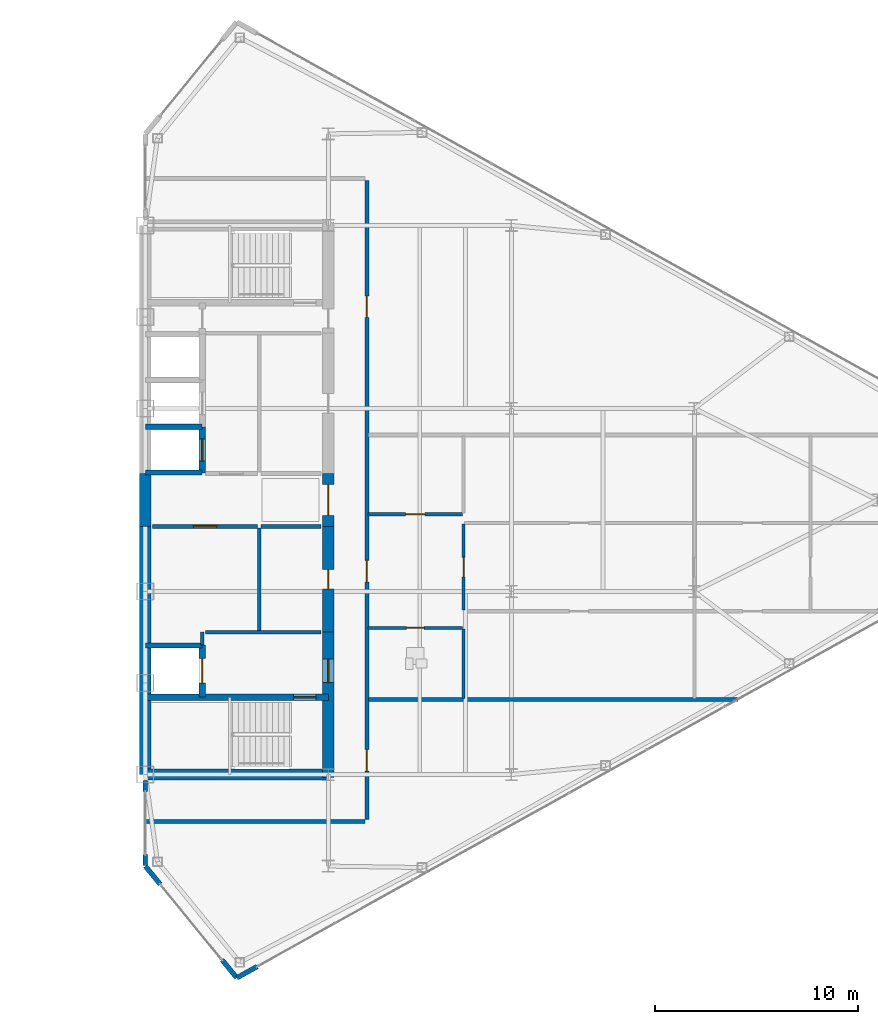
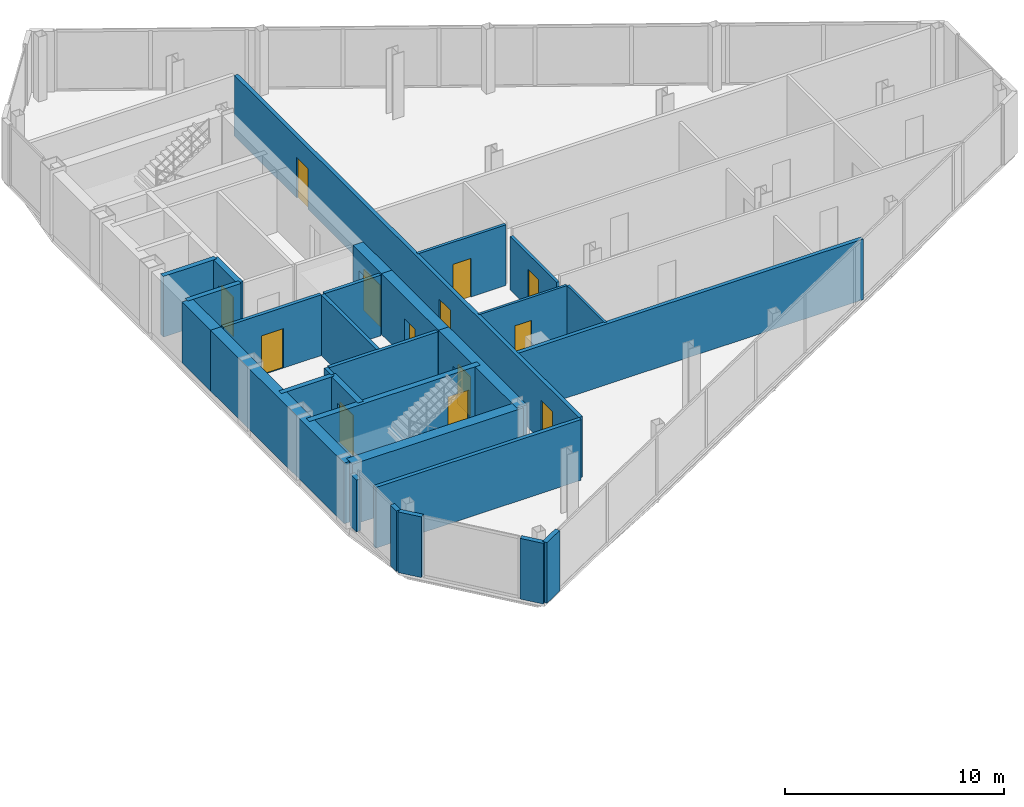
# One storey, part 21 of 25: 29 walls, 13 doors, 13 openings.
"""IFC4 building model written with IfcOpenShell, lengths in metres."""

from ifc_helpers import new_model, si_unit, direction, frame, frame_2d, origin, place, context, subcontext, project, spatial, rectangle, extrude, source, transform, mapped, material, layer, layer_set, type_object, type_shapes, element, fill, save


model = new_model("IFC4")

# Units and contexts
model_context = context("Model", 3, precision=1e-05, world=origin(), true_north=direction((0.0, 1.0)))
body_context = subcontext(model_context, "Body", "Model", "MODEL_VIEW")
ifc_project = project(units=[si_unit("LENGTHUNIT", "METRE"), si_unit("AREAUNIT", "SQUARE_METRE"), si_unit("VOLUMEUNIT", "CUBIC_METRE"), si_unit("PLANEANGLEUNIT", "RADIAN"), si_unit("MASSUNIT", "GRAM", prefix="KILO")], contexts=[model_context])

# Site, building, storey
site_placement = place(None, origin())
site = spatial("IfcSite", under=ifc_project, at=site_placement, CompositionType="ELEMENT")
building_placement = place(site_placement, origin())
building = spatial("IfcBuilding", under=site, at=building_placement, Name="Seokmaru Belvedere", CompositionType="ELEMENT")
storey_placement = place(building_placement, frame((0.0, 0.0, 188.699951171875)))
storey = spatial("IfcBuildingStorey", under=building, at=storey_placement, Name="L50", CompositionType="ELEMENT", Elevation=188.699951171875)

# Wall, opening, door
ifc_material_1 = material(Name="Fire-Rated Gypsum Shaftwall")
ifc_layer_1 = layer(ifc_material_1, 0.14990234375)
ifc_layer_set_1 = layer_set([ifc_layer_1], Name="Fire-Rated Gypsum Shaftwall")
wall_type_1 = type_object("IfcWallType", Name="Apartment Fire-Acoustic Room Partition 150", PredefinedType="PARTITIONING", material=ifc_layer_set_1)
wall_1_placement = place(storey_placement, frame((38.449951171875, -0.699951171875, 0.0), z_axis=(0.0, 0.0, 1.0), x_axis=(1.0, 0.0, 0.0)))
wall_1 = element("IfcWall", 1, at=wall_1_placement, inside=storey, type_object=wall_type_1, Name="L50 Interior Partition 010", PredefinedType="PARTITIONING", context=body_context, shape_type="SweptSolid", body=[
    extrude(rectangle(XDim=4.650146484375, YDim=0.14990234375, at=frame_2d((2.3251953125, 0.0))), origin(), (0.0, 0.0, 1.0), 3.380126953125),
])
opening_1_placement = place(wall_1_placement, frame((1.85009765625, 0.0, 0.0)))
opening_1 = element("IfcOpeningElement", 2, at=opening_1_placement, cuts=wall_1, Name="Opening D05", PredefinedType="OPENING", context=body_context, shape_type="SweptSolid", body=[
    extrude(rectangle(XDim=0.949951171875, YDim=2.14990234375, at=frame_2d((0.47509765625, 1.074951171875))), frame((0.0, 0.0849609375, 0.0), z_axis=(0.0, -1.0, 0.0), x_axis=(1.0, 0.0, 0.0)), (0.0, 0.0, 1.0), 0.169921875),
])
ifc_material_2 = material(Name="Engineered White Oak Timber", Category="wood")
door_type_1 = type_object("IfcDoorType", Name="Apartment Interior Fire-Rated Oak Door 950x2150", OperationType="NOTDEFINED", PredefinedType="DOOR", material=ifc_material_2)
shared_shape_1 = source(origin(), body_context, "Body", "SweptSolid", [
    extrude(rectangle(XDim=0.949951171875, YDim=2.14990234375, at=frame_2d((0.47509765625, 1.074951171875))), frame((0.0, 0.02490234375, 0.0), z_axis=(0.0, -1.0, 0.0), x_axis=(1.0, 0.0, 0.0)), (0.0, 0.0, 1.0), 0.050048828125),
])
type_shapes(door_type_1, [shared_shape_1])
door_1_placement = place(opening_1_placement, origin())
door_1 = element("IfcDoor", 3, at=door_1_placement, inside=storey, type_object=door_type_1, Name="L50 Interior Door 016", OperationType="SINGLE_SWING_RIGHT", OverallHeight=2.14990234375, OverallWidth=0.949951171875, PredefinedType="DOOR", context=body_context, shape_type="MappedRepresentation", body=[
    mapped(shared_shape_1, transform((0.0, 0.0, 0.0), scale=1.0)),
])
fill(opening_1, door_1)

wall_2_placement = place(storey_placement, frame((43.14990234375, -5.4169921875, 0.0), z_axis=(0.0, 0.0, 1.0), x_axis=(0.0, 1.0, 0.0)))
wall_2 = element("IfcWall", 4, at=wall_2_placement, inside=storey, type_object=wall_type_1, Name="L50 Interior Partition 024", PredefinedType="PARTITIONING", context=body_context, shape_type="SweptSolid", body=[
    extrude(rectangle(XDim=4.23388671875, YDim=0.14990234375, at=frame_2d((2.116943359375, 0.0))), origin(), (0.0, 0.0, 1.0), 2.989990234375),
])
opening_2_placement = place(wall_2_placement, frame((1.64208984375, 0.0, 0.0)))
opening_2 = element("IfcOpeningElement", 5, at=opening_2_placement, cuts=wall_2, Name="Opening D05", PredefinedType="OPENING", context=body_context, shape_type="SweptSolid", body=[
    extrude(rectangle(XDim=0.949951171875, YDim=2.14990234375, at=frame_2d((0.47509765625, 1.074951171875))), frame((0.0, 0.0849609375, 0.0), z_axis=(0.0, -1.0, 0.0), x_axis=(1.0, 0.0, 0.0)), (0.0, 0.0, 1.0), 0.169921875),
])
door_2_placement = place(opening_2_placement, origin())
door_2 = element("IfcDoor", 6, at=door_2_placement, inside=storey, type_object=door_type_1, Name="L50 Interior Door 017", OperationType="SINGLE_SWING_LEFT", OverallHeight=2.14990234375, OverallWidth=0.949951171875, PredefinedType="DOOR", context=body_context, shape_type="MappedRepresentation", body=[
    mapped(shared_shape_1, transform((0.0, 0.0, 0.0), scale=1.0)),
])
fill(opening_2, door_2)

# Walls
ifc_layer_2 = layer(ifc_material_1, 0.179931640625)
ifc_layer_set_2 = layer_set([ifc_layer_2], Name="Fire-Rated Gypsum Shaftwall")
wall_type_2 = type_object("IfcWallType", Name="Core Service Fire Partition 180", PredefinedType="PARTITIONING", material=ifc_layer_set_2)
wall_3_placement = place(storey_placement, frame((30.449951171875, -6.5, 0.0), z_axis=(0.0, 0.0, 1.0), x_axis=(1.0, 0.0, 0.0)))
element("IfcWall", 7, at=wall_3_placement, inside=storey, type_object=wall_type_2, Name="L50 East Firefighting Lobby Partition", PredefinedType="PARTITIONING", context=body_context, shape_type="SweptSolid", body=[
    extrude(rectangle(XDim=5.699951171875, YDim=0.179931640625, at=frame_2d((2.85009765625, 0.0))), origin(), (0.0, 0.0, 1.0), 3.380126953125),
])
wall_4_placement = place(storey_placement, frame((30.300048828125, -7.1201171875, 0.0), z_axis=(0.0, 0.0, 1.0), x_axis=(0.0, 1.0, 0.0)))
element("IfcWall", 8, at=wall_4_placement, inside=storey, type_object=wall_type_2, Name="L50 East Firefighting Lobby East Closure Wall", PredefinedType="PARTITIONING", context=body_context, shape_type="SweptSolid", body=[
    extrude(rectangle(XDim=0.6201171875, YDim=0.179931640625, at=frame_2d((0.31005859375, 0.0))), origin(), (0.0, 0.0, 1.0), 3.380126953125),
])
wall_5_placement = place(storey_placement, frame((33.10009765625, -6.419921875, 0.0), z_axis=(0.0, 0.0, 1.0), x_axis=(0.0, 1.0, 0.0)))
element("IfcWall", 9, at=wall_5_placement, inside=storey, type_object=wall_type_2, Name="L50 East South Core Service Back Wall", PredefinedType="PARTITIONING", context=body_context, shape_type="SweptSolid", body=[
    extrude(rectangle(XDim=5.0400390625, YDim=0.179931640625, at=frame_2d((2.52001953125, 0.0))), origin(), (0.0, 0.0, 1.0), 3.380126953125),
])

# Wall, opening, door
wall_6_placement = place(storey_placement, frame((27.85009765625, -1.300048828125, 0.0), z_axis=(0.0, 0.0, 1.0), x_axis=(1.0, 0.0, 0.0)))
wall_6 = element("IfcWall", 10, at=wall_6_placement, inside=storey, type_object=wall_type_2, Name="L50 East South Lift Lobby Foyer Wall", PredefinedType="PARTITIONING", context=body_context, shape_type="SweptSolid", body=[
    extrude(rectangle(XDim=5.169921875, YDim=0.179931640625, at=frame_2d((2.5849609375, 0.0))), origin(), (0.0, 0.0, 1.0), 3.380126953125),
])
opening_3_placement = place(wall_6_placement, frame((2.010009765625, 0.0, 0.0)))
opening_3 = element("IfcOpeningElement", 11, at=opening_3_placement, cuts=wall_6, Name="Opening D02", PredefinedType="OPENING", context=body_context, shape_type="SweptSolid", body=[
    extrude(rectangle(XDim=1.14990234375, YDim=2.199951171875, at=frame_2d((0.574951171875, 1.10009765625))), frame((0.0, 0.10009765625, 0.0), z_axis=(0.0, -1.0, 0.0), x_axis=(1.0, 0.0, 0.0)), (0.0, 0.0, 1.0), 0.199951171875),
])
ifc_material_3 = material(Name="Fire-Rated Steel Leaf", Category="steel")
door_type_2 = type_object("IfcDoorType", Name="Lobby and Vestibule Fire Door 1150x2200", OperationType="NOTDEFINED", PredefinedType="DOOR", material=ifc_material_3)
shared_shape_2 = source(origin(), body_context, "Body", "SweptSolid", [
    extrude(rectangle(XDim=1.14990234375, YDim=2.199951171875, at=frame_2d((0.574951171875, 1.10009765625))), frame((0.0, 0.02490234375, 0.0), z_axis=(0.0, -1.0, 0.0), x_axis=(1.0, 0.0, 0.0)), (0.0, 0.0, 1.0), 0.050048828125),
])
type_shapes(door_type_2, [shared_shape_2])
door_3_placement = place(opening_3_placement, origin())
door_3 = element("IfcDoor", 12, at=door_3_placement, inside=storey, type_object=door_type_2, Name="L50 East South Core Foyer Door", OperationType="SINGLE_SWING_RIGHT", OverallHeight=2.199951171875, OverallWidth=1.14990234375, PredefinedType="DOOR", context=body_context, shape_type="MappedRepresentation", body=[
    mapped(shared_shape_2, transform((0.0, 0.0, 0.0), scale=1.0)),
])
fill(opening_3, door_3)

# Walls
wall_7_placement = place(storey_placement, frame((33.199951171875, -1.300048828125, 0.0), z_axis=(0.0, 0.0, 1.0), x_axis=(1.0, 0.0, 0.0)))
element("IfcWall", 13, at=wall_7_placement, inside=storey, type_object=wall_type_2, Name="L50 East Foyer Side Wall S", PredefinedType="PARTITIONING", context=body_context, shape_type="SweptSolid", body=[
    extrude(rectangle(XDim=2.949951171875, YDim=0.179931640625, at=frame_2d((1.47509765625, 0.0))), origin(), (0.0, 0.0, 1.0), 3.380126953125),
])
ifc_material_4 = material(Name="Concrete C50 (50 MPa)", Category="concrete")
ifc_layer_3 = layer(ifc_material_4, 0.25)
ifc_layer_set_3 = layer_set([ifc_layer_3], Name="Concrete C50 (50 MPa)")
wall_type_3 = type_object("IfcWallType", Name="Hoistway Transverse Concrete Divider Wall 250", PredefinedType="SHEAR", material=ifc_layer_set_3)
for number, where, z_axis, x_axis, name in (
    (14, (27.5, -7.14990234375, 0.0), (0.0, 0.0, 1.0), (1.0, 0.0, 0.0), "L50 East Hoistway Divider Core Wall 1"),
    (15, (27.5, 1.35009765625, 0.0), (0.0, 0.0, 1.0), (1.0, 0.0, 0.0), "L50 East Hoistway Divider Core Wall 2"),
    (16, (27.5, 3.60009765625, 0.0), (0.0, 0.0, 1.0), (1.0, 0.0, 0.0), "L50 East Hoistway Divider Core Wall 3"),
):
    element("IfcWall", number, at=place(storey_placement, frame(where, z_axis=z_axis, x_axis=x_axis)), inside=storey, type_object=wall_type_3, Name=name, PredefinedType="SHEAR", context=body_context, shape_type="SweptSolid", body=[
        extrude(rectangle(XDim=2.800048828125, YDim=0.25, at=frame_2d((1.39990234375, 0.0))), origin(), (0.0, 0.0, 1.0), 3.380126953125),
    ])
ifc_layer_4 = layer(ifc_material_1, 0.199951171875)
ifc_layer_set_4 = layer_set([ifc_layer_4], Name="Fire-Rated Gypsum Shaftwall")
wall_type_4 = type_object("IfcWallType", Name="Inter-Tenancy Fire Compartment Partition 200", PredefinedType="PARTITIONING", material=ifc_layer_set_4)
wall_8_placement = place(storey_placement, frame((27.5, -15.800048828125, 0.0), z_axis=(0.0, 0.0, 1.0), x_axis=(1.0, 0.0, 0.0)))
element("IfcWall", 17, at=wall_8_placement, inside=storey, type_object=wall_type_4, Name="L50 Interior Partition 002", PredefinedType="PARTITIONING", context=body_context, shape_type="SweptSolid", body=[
    extrude(rectangle(XDim=10.81494140625, YDim=0.199951171875, at=frame_2d((5.407470703125, 0.0))), origin(), (0.0, 0.0, 1.0), 3.380126953125),
])
wall_9_placement = place(storey_placement, frame((38.47998046875, -9.800048828125, 0.0), z_axis=(0.0, 0.0, 1.0), x_axis=(1.0, 0.0, 0.0)))
element("IfcWall", 18, at=wall_9_placement, inside=storey, type_object=wall_type_4, Name="L50 Interior Partition 003", PredefinedType="PARTITIONING", context=body_context, shape_type="SweptSolid", body=[
    extrude(rectangle(XDim=18.1630859375, YDim=0.199951171875, at=frame_2d((9.08154296875, 0.0))), origin(), (0.0, 0.0, 1.0), 3.380126953125),
])

# Wall, openings, doors
wall_10_placement = place(storey_placement, frame((38.39990234375, -15.715087890625, 0.0), z_axis=(0.0, 0.0, 1.0), x_axis=(0.0, 1.0, 0.0)))
wall_10 = element("IfcWall", 19, at=wall_10_placement, inside=storey, type_object=wall_type_4, Name="L50 Interior Partition 022", PredefinedType="PARTITIONING", context=body_context, shape_type="SweptSolid", body=[
    extrude(rectangle(XDim=31.43017578125, YDim=0.199951171875, at=frame_2d((15.715087890625, 0.0))), origin(), (0.0, 0.0, 1.0), 3.380126953125),
])
opening_4_placement = place(wall_10_placement, frame((2.389892578125, 0.0, 0.0)))
opening_4 = element("IfcOpeningElement", 20, at=opening_4_placement, cuts=wall_10, Name="Opening D03", PredefinedType="OPENING", context=body_context, shape_type="SweptSolid", body=[
    extrude(rectangle(XDim=1.050048828125, YDim=2.25, at=frame_2d((0.52490234375, 1.125))), frame((0.0, 0.10986328125, 0.0), z_axis=(0.0, -1.0, 0.0), x_axis=(1.0, 0.0, 0.0)), (0.0, 0.0, 1.0), 0.219970703125),
])
opening_5_placement = place(wall_10_placement, frame((11.695068359375, 0.0, 0.0)))
opening_5 = element("IfcOpeningElement", 21, at=opening_5_placement, cuts=wall_10, Name="Opening D03", PredefinedType="OPENING", context=body_context, shape_type="SweptSolid", body=[
    extrude(rectangle(XDim=1.050048828125, YDim=2.25, at=frame_2d((0.52490234375, 1.125))), frame((0.0, 0.10986328125, 0.0), z_axis=(0.0, -1.0, 0.0), x_axis=(1.0, 0.0, 0.0)), (0.0, 0.0, 1.0), 0.219970703125),
])
opening_6_placement = place(wall_10_placement, frame((24.68994140625, 0.0, 0.0)))
opening_6 = element("IfcOpeningElement", 22, at=opening_6_placement, cuts=wall_10, Name="Opening D03", PredefinedType="OPENING", context=body_context, shape_type="SweptSolid", body=[
    extrude(rectangle(XDim=1.050048828125, YDim=2.25, at=frame_2d((0.52490234375, 1.125))), frame((0.0, 0.10986328125, 0.0), z_axis=(0.0, -1.0, 0.0), x_axis=(1.0, 0.0, 0.0)), (0.0, 0.0, 1.0), 0.219970703125),
])
door_type_3 = type_object("IfcDoorType", Name="Apartment Entrance Fire Door 1050x2250", OperationType="NOTDEFINED", PredefinedType="DOOR", material=ifc_material_3)
shared_shape_3 = source(origin(), body_context, "Body", "SweptSolid", [
    extrude(rectangle(XDim=1.050048828125, YDim=2.25, at=frame_2d((0.52490234375, 1.125))), frame((0.0, 0.02490234375, 0.0), z_axis=(0.0, -1.0, 0.0), x_axis=(1.0, 0.0, 0.0)), (0.0, 0.0, 1.0), 0.050048828125),
])
type_shapes(door_type_3, [shared_shape_3])
door_4_placement = place(opening_4_placement, origin())
door_4 = element("IfcDoor", 23, at=door_4_placement, inside=storey, type_object=door_type_3, Name="L50 Interior Door 013", OperationType="SINGLE_SWING_LEFT", OverallHeight=2.25, OverallWidth=1.050048828125, PredefinedType="DOOR", context=body_context, shape_type="MappedRepresentation", body=[
    mapped(shared_shape_3, transform((0.0, 0.0, 0.0), scale=1.0)),
])
fill(opening_4, door_4)
door_5_placement = place(opening_5_placement, origin())
door_5 = element("IfcDoor", 24, at=door_5_placement, inside=storey, type_object=door_type_3, Name="L50 Interior Door 014", OperationType="SINGLE_SWING_RIGHT", OverallHeight=2.25, OverallWidth=1.050048828125, PredefinedType="DOOR", context=body_context, shape_type="MappedRepresentation", body=[
    mapped(shared_shape_3, transform((0.0, 0.0, 0.0), scale=1.0)),
])
fill(opening_5, door_5)
door_6_placement = place(opening_6_placement, origin())
door_6 = element("IfcDoor", 25, at=door_6_placement, inside=storey, type_object=door_type_3, Name="L50 Interior Door 025", OperationType="SINGLE_SWING_LEFT", OverallHeight=2.25, OverallWidth=1.050048828125, PredefinedType="DOOR", context=body_context, shape_type="MappedRepresentation", body=[
    mapped(shared_shape_3, transform((0.0, 0.0, 0.0), scale=1.0)),
])
fill(opening_6, door_6)

# Wall, opening, door
ifc_layer_5 = layer(ifc_material_4, 0.300048828125)
ifc_layer_set_5 = layer_set([ifc_layer_5], Name="Concrete C50 (50 MPa)")
wall_type_5 = type_object("IfcWallType", Name="Internal Core Stair and Hoistway Wall 300", PredefinedType="SHEAR", material=ifc_layer_set_5)
wall_11_placement = place(storey_placement, frame((27.5, -9.699951171875, 0.0), z_axis=(0.0, 0.0, 1.0), x_axis=(1.0, 0.0, 0.0)))
wall_11 = element("IfcWall", 26, at=wall_11_placement, inside=storey, type_object=wall_type_5, Name="L50 East Stair ST-1 Enclosure Wall", PredefinedType="SHEAR", context=body_context, shape_type="SweptSolid", body=[
    extrude(rectangle(XDim=9.0, YDim=0.300048828125, at=frame_2d((4.5, 0.0))), origin(), (0.0, 0.0, 1.0), 3.380126953125),
])
opening_7_placement = place(wall_11_placement, frame((7.300048828125, 0.0, 0.0)))
opening_7 = element("IfcOpeningElement", 27, at=opening_7_placement, cuts=wall_11, Name="Opening D01", PredefinedType="OPENING", context=body_context, shape_type="SweptSolid", body=[
    extrude(rectangle(XDim=1.10009765625, YDim=2.199951171875, at=frame_2d((0.550048828125, 1.10009765625))), frame((0.0, 0.16015625, 0.0), z_axis=(0.0, -1.0, 0.0), x_axis=(1.0, 0.0, 0.0)), (0.0, 0.0, 1.0), 0.320068359375),
])
door_type_4 = type_object("IfcDoorType", Name="Special Escape Stair Smokeproof Fire Door 1100x2200", OperationType="NOTDEFINED", PredefinedType="DOOR", material=ifc_material_3)
shared_shape_4 = source(origin(), body_context, "Body", "SweptSolid", [
    extrude(rectangle(XDim=1.10009765625, YDim=2.199951171875, at=frame_2d((0.550048828125, 1.10009765625))), frame((0.0, 0.02490234375, 0.0), z_axis=(0.0, -1.0, 0.0), x_axis=(1.0, 0.0, 0.0)), (0.0, 0.0, 1.0), 0.050048828125),
])
type_shapes(door_type_4, [shared_shape_4])
door_7_placement = place(opening_7_placement, frame((1.10009765625, 0.0, 0.0), z_axis=(0.0, 0.0, 1.0), x_axis=(-1.0, 0.0, 0.0)))
door_7 = element("IfcDoor", 28, at=door_7_placement, inside=storey, type_object=door_type_4, Name="L50 East Special Escape Stair ST-1 Door", OperationType="SINGLE_SWING_RIGHT", OverallHeight=2.199951171875, OverallWidth=1.10009765625, PredefinedType="DOOR", context=body_context, shape_type="MappedRepresentation", body=[
    mapped(shared_shape_4, transform((0.0, 0.0, 0.0), scale=1.0)),
])
fill(opening_7, door_7)

wall_12_placement = place(storey_placement, frame((30.300048828125, -9.679931640625, 0.0), z_axis=(0.0, 0.0, 1.0), x_axis=(0.0, 1.0, 0.0)))
wall_12 = element("IfcWall", 29, at=wall_12_placement, inside=storey, type_object=wall_type_5, Name="L50 East Firefighting Lift Shaft Front Wall", PredefinedType="SHEAR", context=body_context, shape_type="SweptSolid", body=[
    extrude(rectangle(XDim=2.559814453125, YDim=0.300048828125, at=frame_2d((1.27978515625, 0.0))), origin(), (0.0, 0.0, 1.0), 3.380126953125),
])
opening_8_placement = place(wall_12_placement, frame((0.679931640625, 0.0, 0.0)))
opening_8 = element("IfcOpeningElement", 30, at=opening_8_placement, cuts=wall_12, Name="Opening LD2", PredefinedType="OPENING", context=body_context, shape_type="SweptSolid", body=[
    extrude(rectangle(XDim=1.199951171875, YDim=2.25, at=frame_2d((0.60009765625, 1.125))), frame((0.0, 0.16015625, 0.0), z_axis=(0.0, -1.0, 0.0), x_axis=(1.0, 0.0, 0.0)), (0.0, 0.0, 1.0), 0.320068359375),
])
ifc_material_5 = material(Name="Stainless Steel 316", Category="steel")
door_type_5 = type_object("IfcDoorType", Name="Firefighting Lift Sliding Landing Door 1200x2250", OperationType="DOUBLE_DOOR_SLIDING", PredefinedType="DOOR", material=ifc_material_5)
shared_shape_5 = source(origin(), body_context, "Body", "SweptSolid", [
    extrude(rectangle(XDim=1.199951171875, YDim=2.25, at=frame_2d((0.60009765625, 1.125))), frame((0.0, 0.02490234375, 0.0), z_axis=(0.0, -1.0, 0.0), x_axis=(1.0, 0.0, 0.0)), (0.0, 0.0, 1.0), 0.050048828125),
])
type_shapes(door_type_5, [shared_shape_5])
door_8_placement = place(opening_8_placement, origin())
door_8 = element("IfcDoor", 31, at=door_8_placement, inside=storey, type_object=door_type_5, Name="L50 East Firefighting Lift Landing Door", OperationType="DOUBLE_DOOR_SLIDING", OverallHeight=2.25, OverallWidth=1.199951171875, PredefinedType="DOOR", context=body_context, shape_type="MappedRepresentation", body=[
    mapped(shared_shape_5, transform((0.0, 0.0, 0.0), scale=1.0)),
])
fill(opening_8, door_8)

wall_13_placement = place(storey_placement, frame((30.300048828125, 1.320068359375, 0.0), z_axis=(0.0, 0.0, 1.0), x_axis=(0.0, 1.0, 0.0)))
wall_13 = element("IfcWall", 32, at=wall_13_placement, inside=storey, type_object=wall_type_5, Name="L50 East North Hoistway Wall PH1", PredefinedType="SHEAR", context=body_context, shape_type="SweptSolid", body=[
    extrude(rectangle(XDim=2.280029296875, YDim=0.300048828125, at=frame_2d((1.14013671875, 0.0))), origin(), (0.0, 0.0, 1.0), 3.380126953125),
])
opening_9_placement = place(wall_13_placement, frame((0.590087890625, 0.0, 0.0)))
opening_9 = element("IfcOpeningElement", 33, at=opening_9_placement, cuts=wall_13, Name="Opening LD1", PredefinedType="OPENING", context=body_context, shape_type="SweptSolid", body=[
    extrude(rectangle(XDim=1.10009765625, YDim=2.199951171875, at=frame_2d((0.550048828125, 1.10009765625))), frame((0.0, 0.16015625, 0.0), z_axis=(0.0, -1.0, 0.0), x_axis=(1.0, 0.0, 0.0)), (0.0, 0.0, 1.0), 0.320068359375),
])
door_type_6 = type_object("IfcDoorType", Name="Passenger Lift Sliding Landing Door 1100x2200", OperationType="DOUBLE_DOOR_SLIDING", PredefinedType="DOOR", material=ifc_material_5)
shared_shape_6 = source(origin(), body_context, "Body", "SweptSolid", [
    extrude(rectangle(XDim=1.10009765625, YDim=2.199951171875, at=frame_2d((0.550048828125, 1.10009765625))), frame((0.0, 0.02490234375, 0.0), z_axis=(0.0, -1.0, 0.0), x_axis=(1.0, 0.0, 0.0)), (0.0, 0.0, 1.0), 0.050048828125),
])
type_shapes(door_type_6, [shared_shape_6])
door_9_placement = place(opening_9_placement, origin())
door_9 = element("IfcDoor", 34, at=door_9_placement, inside=storey, type_object=door_type_6, Name="L50 East High-Rise Lift PH-1 Landing Door", OperationType="DOUBLE_DOOR_SLIDING", OverallHeight=2.199951171875, OverallWidth=1.10009765625, PredefinedType="DOOR", context=body_context, shape_type="MappedRepresentation", body=[
    mapped(shared_shape_6, transform((0.0, 0.0, 0.0), scale=1.0)),
])
fill(opening_9, door_9)

# Walls
ifc_layer_6 = layer(ifc_material_4, 0.550048828125)
ifc_layer_set_6 = layer_set([ifc_layer_6], Name="Concrete C50 (50 MPa)")
wall_type_6 = type_object("IfcWallType", Name="Mid-High Reinforced Concrete Core Wall 550", PredefinedType="SHEAR", material=ifc_layer_set_6)
wall_14_placement = place(storey_placement, frame((27.5, -13.5, 0.0), z_axis=(0.0, 0.0, 1.0), x_axis=(0.0, 1.0, 0.0)))
element("IfcWall", 35, at=wall_14_placement, inside=storey, type_object=wall_type_6, Name="L50 East Portal Spine Core Wall South", PredefinedType="SHEAR", context=body_context, shape_type="SweptSolid", body=[
    extrude(rectangle(XDim=12.199951171875, YDim=0.550048828125, at=frame_2d((6.10009765625, 0.0))), origin(), (0.0, 0.0, 1.0), 3.380126953125),
])
wall_15_placement = place(storey_placement, frame((27.5, -1.300048828125, 0.0), z_axis=(0.0, 0.0, 1.0), x_axis=(0.0, 1.0, 0.0)))
element("IfcWall", 36, at=wall_15_placement, inside=storey, type_object=wall_type_6, Name="L50 East Portal Spine Core Wall Center", PredefinedType="SHEAR", context=body_context, shape_type="SweptSolid", body=[
    extrude(rectangle(XDim=2.60009765625, YDim=0.550048828125, at=frame_2d((1.300048828125, 0.0))), origin(), (0.0, 0.0, 1.0), 3.380126953125),
])
wall_16_placement = place(storey_placement, frame((27.5, -13.5, 0.0), z_axis=(0.0, 0.0, 1.0), x_axis=(1.0, 0.0, 0.0)))
element("IfcWall", 37, at=wall_16_placement, inside=storey, type_object=wall_type_6, Name="L50 East South Core Wall", PredefinedType="SHEAR", context=body_context, shape_type="SweptSolid", body=[
    extrude(rectangle(XDim=9.0, YDim=0.550048828125, at=frame_2d((4.5, 0.0))), origin(), (0.0, 0.0, 1.0), 3.380126953125),
])

# Wall, opening, door
wall_17_placement = place(storey_placement, frame((36.5, -13.64990234375, 0.0), z_axis=(0.0, 0.0, 1.0), x_axis=(0.0, 1.0, 0.0)))
wall_17 = element("IfcWall", 38, at=wall_17_placement, inside=storey, type_object=wall_type_6, Name="L50 East West Core Wall FF", PredefinedType="SHEAR", context=body_context, shape_type="SweptSolid", body=[
    extrude(rectangle(XDim=7.14990234375, YDim=0.550048828125, at=frame_2d((3.574951171875, 0.0))), origin(), (0.0, 0.0, 1.0), 3.380126953125),
])
opening_10_placement = place(wall_17_placement, frame((4.675048828125, 0.0, 0.0)))
opening_10 = element("IfcOpeningElement", 39, at=opening_10_placement, cuts=wall_17, Name="Opening D02", PredefinedType="OPENING", context=body_context, shape_type="SweptSolid", body=[
    extrude(rectangle(XDim=1.14990234375, YDim=2.199951171875, at=frame_2d((0.574951171875, 1.10009765625))), frame((0.0, 0.28515625, 0.0), z_axis=(0.0, -1.0, 0.0), x_axis=(1.0, 0.0, 0.0)), (0.0, 0.0, 1.0), 0.570068359375),
])
door_10_placement = place(opening_10_placement, origin())
door_10 = element("IfcDoor", 40, at=door_10_placement, inside=storey, type_object=door_type_2, Name="L50 East Firefighting Lobby Door", OperationType="SINGLE_SWING_RIGHT", OverallHeight=2.199951171875, OverallWidth=1.14990234375, PredefinedType="DOOR", context=body_context, shape_type="MappedRepresentation", body=[
    mapped(shared_shape_2, transform((0.0, 0.0, 0.0), scale=1.0)),
])
fill(opening_10, door_10)

wall_18_placement = place(storey_placement, frame((36.5, -1.300048828125, 0.0), z_axis=(0.0, 0.0, 1.0), x_axis=(0.0, 1.0, 0.0)))
wall_18 = element("IfcWall", 41, at=wall_18_placement, inside=storey, type_object=wall_type_6, Name="L50 East West Core Wall FOY", PredefinedType="SHEAR", context=body_context, shape_type="SweptSolid", body=[
    extrude(rectangle(XDim=2.60009765625, YDim=0.550048828125, at=frame_2d((1.300048828125, 0.0))), origin(), (0.0, 0.0, 1.0), 3.380126953125),
])
opening_11_placement = place(wall_18_placement, frame((0.550048828125, 0.0, 0.0)))
opening_11 = element("IfcOpeningElement", 42, at=opening_11_placement, cuts=wall_18, Name="Opening D08", PredefinedType="OPENING", context=body_context, shape_type="SweptSolid", body=[
    extrude(rectangle(XDim=1.5, YDim=2.300048828125, at=frame_2d((0.75, 1.14990234375))), frame((0.0, 0.28515625, 0.0), z_axis=(0.0, -1.0, 0.0), x_axis=(1.0, 0.0, 0.0)), (0.0, 0.0, 1.0), 0.570068359375),
])
door_type_7 = type_object("IfcDoorType", Name="Cross-Corridor Compartment Double Fire Door 1500x2300", OperationType="DOUBLE_SWING_LEFT", PredefinedType="DOOR", material=ifc_material_3)
shared_shape_7 = source(origin(), body_context, "Body", "SweptSolid", [
    extrude(rectangle(XDim=1.5, YDim=2.300048828125, at=frame_2d((0.75, 1.14990234375))), frame((0.0, 0.02490234375, 0.0), z_axis=(0.0, -1.0, 0.0), x_axis=(1.0, 0.0, 0.0)), (0.0, 0.0, 1.0), 0.050048828125),
])
type_shapes(door_type_7, [shared_shape_7])
door_11_placement = place(opening_11_placement, origin())
door_11 = element("IfcDoor", 43, at=door_11_placement, inside=storey, type_object=door_type_7, Name="L50 East Core Foyer Compartment Door", OperationType="DOUBLE_SWING_LEFT", OverallHeight=2.300048828125, OverallWidth=1.5, PredefinedType="DOOR", context=body_context, shape_type="MappedRepresentation", body=[
    mapped(shared_shape_7, transform((0.0, 0.0, 0.0), scale=1.0)),
])
fill(opening_11, door_11)

wall_19_placement = place(storey_placement, frame((36.5, -6.5, 0.0), z_axis=(0.0, 0.0, 1.0), x_axis=(0.0, 1.0, 0.0)))
wall_19 = element("IfcWall", 44, at=wall_19_placement, inside=storey, type_object=wall_type_6, Name="L50 East West Core Wall CS1", PredefinedType="SHEAR", context=body_context, shape_type="SweptSolid", body=[
    extrude(rectangle(XDim=5.199951171875, YDim=0.550048828125, at=frame_2d((2.60009765625, 0.0))), origin(), (0.0, 0.0, 1.0), 3.380126953125),
])
opening_12_placement = place(wall_19_placement, frame((2.125, 0.0, 0.0)))
opening_12 = element("IfcOpeningElement", 45, at=opening_12_placement, cuts=wall_19, Name="Opening D04", PredefinedType="OPENING", context=body_context, shape_type="SweptSolid", body=[
    extrude(rectangle(XDim=0.949951171875, YDim=2.14990234375, at=frame_2d((0.47509765625, 1.074951171875))), frame((0.0, 0.28515625, 0.0), z_axis=(0.0, -1.0, 0.0), x_axis=(1.0, 0.0, 0.0)), (0.0, 0.0, 1.0), 0.570068359375),
])
door_type_8 = type_object("IfcDoorType", Name="Core Service Room Fire Door 950x2150", OperationType="NOTDEFINED", PredefinedType="DOOR", material=ifc_material_3)
shared_shape_8 = source(origin(), body_context, "Body", "SweptSolid", [
    extrude(rectangle(XDim=0.949951171875, YDim=2.14990234375, at=frame_2d((0.47509765625, 1.074951171875))), frame((0.0, 0.02490234375, 0.0), z_axis=(0.0, -1.0, 0.0), x_axis=(1.0, 0.0, 0.0)), (0.0, 0.0, 1.0), 0.050048828125),
])
type_shapes(door_type_8, [shared_shape_8])
door_12_placement = place(opening_12_placement, origin())
door_12 = element("IfcDoor", 46, at=door_12_placement, inside=storey, type_object=door_type_8, Name="L50 East Core Service Room Door 1", OperationType="SINGLE_SWING_RIGHT", OverallHeight=2.14990234375, OverallWidth=0.949951171875, PredefinedType="DOOR", context=body_context, shape_type="MappedRepresentation", body=[
    mapped(shared_shape_8, transform((0.0, 0.0, 0.0), scale=1.0)),
])
fill(opening_12, door_12)

ifc_layer_7 = layer(ifc_material_1, 0.1298828125)
ifc_layer_set_7 = layer_set([ifc_layer_7], Name="Fire-Rated Gypsum Shaftwall")
wall_type_7 = type_object("IfcWallType", Name="Moisture-Resistant Fire-Rated Bathroom Partition 130", PredefinedType="PARTITIONING", material=ifc_layer_set_7)
wall_20_placement = place(storey_placement, frame((38.449951171875, -6.2900390625, 0.0), z_axis=(0.0, 0.0, 1.0), x_axis=(1.0, 0.0, 0.0)))
wall_20 = element("IfcWall", 47, at=wall_20_placement, inside=storey, type_object=wall_type_7, Name="L50 Interior Partition 005", PredefinedType="PARTITIONING", context=body_context, shape_type="SweptSolid", body=[
    extrude(rectangle(XDim=4.650146484375, YDim=0.1298828125, at=frame_2d((2.3251953125, 0.0))), origin(), (0.0, 0.0, 1.0), 3.380126953125),
])
opening_13_placement = place(wall_20_placement, frame((1.885009765625, 0.0, 0.0)))
opening_13 = element("IfcOpeningElement", 48, at=opening_13_placement, cuts=wall_20, Name="Opening D06", PredefinedType="OPENING", context=body_context, shape_type="SweptSolid", body=[
    extrude(rectangle(XDim=0.8798828125, YDim=2.10009765625, at=frame_2d((0.43994140625, 1.050048828125))), frame((0.0, 0.074951171875, 0.0), z_axis=(0.0, -1.0, 0.0), x_axis=(1.0, 0.0, 0.0)), (0.0, 0.0, 1.0), 0.14990234375),
])
door_type_9 = type_object("IfcDoorType", Name="Bathroom and Restroom Fire-Rated Door 880x2100", OperationType="NOTDEFINED", PredefinedType="DOOR", material=ifc_material_2)
shared_shape_9 = source(origin(), body_context, "Body", "SweptSolid", [
    extrude(rectangle(XDim=0.8798828125, YDim=2.10009765625, at=frame_2d((0.43994140625, 1.050048828125))), frame((0.0, 0.02490234375, 0.0), z_axis=(0.0, -1.0, 0.0), x_axis=(1.0, 0.0, 0.0)), (0.0, 0.0, 1.0), 0.050048828125),
])
type_shapes(door_type_9, [shared_shape_9])
door_13_placement = place(opening_13_placement, origin())
door_13 = element("IfcDoor", 49, at=door_13_placement, inside=storey, type_object=door_type_9, Name="L50 Interior Door 015", OperationType="SINGLE_SWING_RIGHT", OverallHeight=2.10009765625, OverallWidth=0.8798828125, PredefinedType="DOOR", context=body_context, shape_type="MappedRepresentation", body=[
    mapped(shared_shape_9, transform((0.0, 0.0, 0.0), scale=1.0)),
])
fill(opening_13, door_13)

# Walls
wall_21_placement = place(storey_placement, frame((43.14990234375, -9.75, 0.0), z_axis=(0.0, 0.0, 1.0), x_axis=(0.0, 1.0, 0.0)))
element("IfcWall", 50, at=wall_21_placement, inside=storey, type_object=wall_type_7, Name="L50 Interior Partition 023", PredefinedType="PARTITIONING", context=body_context, shape_type="SweptSolid", body=[
    extrude(rectangle(XDim=3.407958984375, YDim=0.1298828125, at=frame_2d((1.7041015625, 0.0))), origin(), (0.0, 0.0, 1.0), 3.380126953125),
])
ifc_material_6 = material(Name="Anodised Bronze Aluminium", Category="aluminium")
ifc_layer_8 = layer(ifc_material_6, 0.239990234375)
ifc_layer_set_8 = layer_set([ifc_layer_8], Name="Anodised Bronze Aluminium")
wall_type_8 = type_object("IfcWallType", Name="Tower Corner Spandrel Closure Wall 240", PredefinedType="SOLIDWALL", material=ifc_layer_set_8)
wall_22_placement = place(storey_placement, frame((32.0087890625, -23.4951171875, 0.0), z_axis=(0.0, 0.0, 1.0), x_axis=(0.87385402111, 0.486188389196, 0.0)))
element("IfcWall", 51, at=wall_22_placement, inside=storey, type_object=wall_type_8, Name="L50 E Corner Closure Pier 1A", PredefinedType="SOLIDWALL", context=body_context, shape_type="SweptSolid", body=[
    extrude(rectangle(XDim=1.139892578125, YDim=0.239990234375, at=frame_2d((0.56982421875, 0.0))), origin(), (0.0, 0.0, 1.0), 3.380126953125),
])
wall_23_placement = place(storey_placement, frame((27.5, -17.97998046875, 0.0), z_axis=(0.0, 0.0, 1.0), x_axis=(0.0, 1.0, 0.0)))
element("IfcWall", 52, at=wall_23_placement, inside=storey, type_object=wall_type_8, Name="L50 E Spine Closure Pier 1A", PredefinedType="SOLIDWALL", context=body_context, shape_type="SweptSolid", body=[
    extrude(rectangle(XDim=0.550048828125, YDim=0.239990234375, at=frame_2d((0.27490234375, 0.0))), origin(), (0.0, 0.0, 1.0), 3.380126953125),
])
wall_24_placement = place(storey_placement, frame((27.5, -14.330078125, 0.0), z_axis=(0.0, 0.0, 1.0), x_axis=(0.0, 1.0, 0.0)))
element("IfcWall", 53, at=wall_24_placement, inside=storey, type_object=wall_type_8, Name="L50 E Spine Closure Pier 1B", PredefinedType="SOLIDWALL", context=body_context, shape_type="SweptSolid", body=[
    extrude(rectangle(XDim=0.550048828125, YDim=0.239990234375, at=frame_2d((0.27490234375, 0.0))), origin(), (0.0, 0.0, 1.0), 2.880126953125),
])
for number, where, z_axis, x_axis, name in (
    (54, (27.50634765625, -18.0078125, 0.0), (0.0, 0.0, 1.0), (0.633249451965, -0.77394775766, 0.0), "L50 E Corner Closure Pier 6A"),
    (55, (31.271728515625, -22.60986328125, 0.0), (0.0, 0.0, 1.0), (0.633249451965, -0.77394775766, 0.0), "L50 E Corner Closure Pier 6B"),
):
    element("IfcWall", number, at=place(storey_placement, frame(where, z_axis=z_axis, x_axis=x_axis)), inside=storey, type_object=wall_type_8, Name=name, PredefinedType="SOLIDWALL", context=body_context, shape_type="SweptSolid", body=[
        extrude(rectangle(XDim=1.14013671875, YDim=0.239990234375, at=frame_2d((0.570068359375, 0.0))), origin(), (0.0, 0.0, 1.0), 3.380126953125),
    ])

save(model, "model.ifc")
